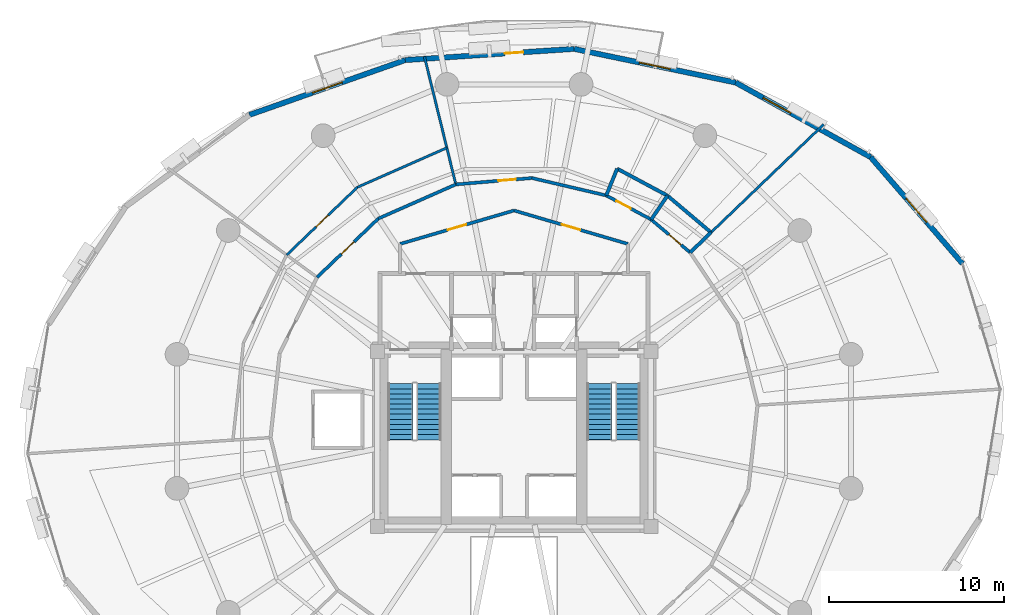
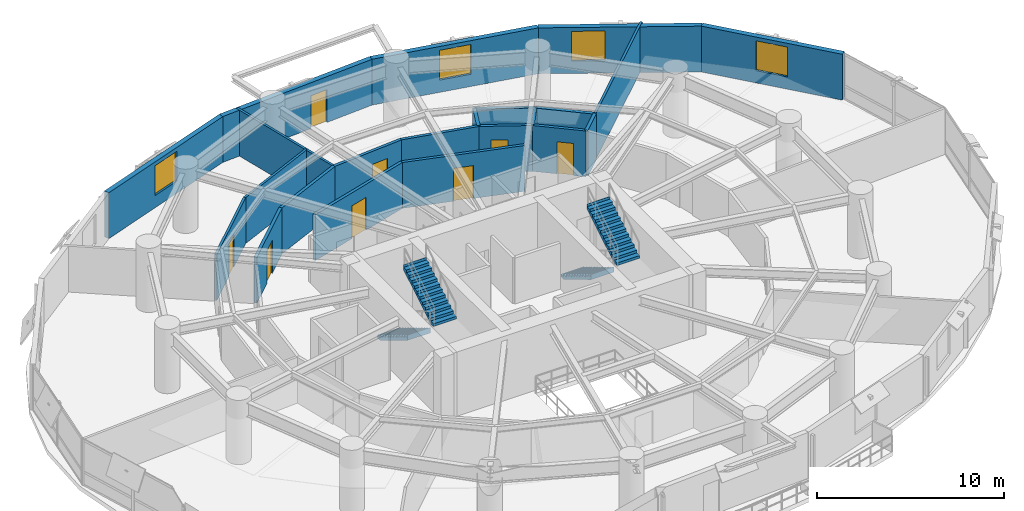
# One storey, part 12 of 16: 22 walls, 8 doors, 4 stair flights, 4 windows, 12 openings, 2 elements without a shape of their own.
"""IFC4 building model written with IfcOpenShell, lengths in metres."""

from ifc_helpers import new_model, si_unit, direction, frame, frame_2d, origin, place, context, subcontext, project, spatial, polyline, rectangle, outline, extrude, material, layer, layer_set, type_object, element, fill, aggregate, save


model = new_model("IFC4")

# Units and contexts
model_context = context("Model", 3, precision=1e-05, world=origin(), true_north=direction((0.0, 1.0)))
body_context = subcontext(model_context, "Body", "Model", "MODEL_VIEW")
ifc_project = project(units=[si_unit("LENGTHUNIT", "METRE"), si_unit("AREAUNIT", "SQUARE_METRE"), si_unit("VOLUMEUNIT", "CUBIC_METRE"), si_unit("PLANEANGLEUNIT", "RADIAN"), si_unit("MASSUNIT", "GRAM", prefix="KILO"), si_unit("THERMODYNAMICTEMPERATUREUNIT", "KELVIN"), si_unit("POWERUNIT", "WATT")], contexts=[model_context])

# Site, building, storey
site_placement = place(None, origin())
site = spatial("IfcSite", under=ifc_project, at=site_placement, CompositionType="ELEMENT")
building_placement = place(site_placement, origin())
building = spatial("IfcBuilding", under=site, at=building_placement, Name="Ocrelia Relay Tower", CompositionType="ELEMENT")
storey_placement = place(building_placement, frame((0.0, 0.0, 46.800048828125)))
storey = spatial("IfcBuildingStorey", under=building, at=storey_placement, Name="L10", CompositionType="ELEMENT", Elevation=46.800048828125)

# Wall, opening, door
ifc_material_1 = material(Name="Gypsum Fireboard Partition EI60", Category="gypsum")
ifc_layer_1 = layer(ifc_material_1, 0.179931640625, Name="Gypsum Fireboard Partition EI60")
ifc_layer_set_1 = layer_set([ifc_layer_1], Name="Gypsum Fireboard Partition EI60")
wall_type_1 = type_object("IfcWallType", Name="W-CORR-EI60-180", PredefinedType="PARTITIONING", material=ifc_layer_set_1)
wall_1_placement = place(storey_placement, frame((27.5, 36.122802734375, 0.0), z_axis=(0.0, 0.0, 1.0), x_axis=(0.959546654541, 0.281549671923, 0.0)))
wall_1 = element("IfcWall", 1, at=wall_1_placement, inside=storey, type_object=wall_type_1, Name="L10 North Smoke Lobby W Screen Wall", PredefinedType="PARTITIONING", context=body_context, shape_type="SweptSolid", body=[
    extrude(rectangle(XDim=6.77392578125, YDim=0.179931640625, at=frame_2d((3.386962890625, 0.0))), origin(), (0.0, 0.0, 1.0), 3.0),
])
opening_1_placement = place(wall_1_placement, frame((2.8369140625, 0.0, 0.0)))
opening_1 = element("IfcOpeningElement", 2, at=opening_1_placement, cuts=wall_1, Name="Opening D-FD60", PredefinedType="OPENING", context=body_context, shape_type="SweptSolid", body=[
    extrude(rectangle(XDim=1.10009765625, YDim=2.14990234375, at=frame_2d((0.550048828125, 1.074951171875))), frame((0.0, 0.10009765625, 0.0), z_axis=(0.0, -1.0, 0.0), x_axis=(1.0, 0.0, 0.0)), (0.0, 0.0, 1.0), 0.199951171875),
])
ifc_material_2 = material(Name="Timber-core 60-min acoustic fire door", Category="wood")
door_type_1 = type_object("IfcDoorType", Name="DR-LOBBY-FD60-1100", OperationType="NOTDEFINED", PredefinedType="DOOR", material=ifc_material_2)
door_1_placement = place(opening_1_placement, origin())
door_1 = element("IfcDoor", 3, at=door_1_placement, inside=storey, type_object=door_type_1, Name="L10 North Smoke Lobby W Fire Door", OperationType="SINGLE_SWING_RIGHT", OverallHeight=2.14990234375, OverallWidth=1.10009765625, PredefinedType="DOOR", context=body_context, shape_type="SweptSolid", body=[
    extrude(rectangle(XDim=1.10009765625, YDim=2.14990234375, at=frame_2d((0.550048828125, 1.074951171875))), frame((0.0, 0.02490234375, 0.0), z_axis=(0.0, -1.0, 0.0), x_axis=(1.0, 0.0, 0.0)), (0.0, 0.0, 1.0), 0.050048828125),
])
fill(opening_1, door_1)

wall_2_placement = place(storey_placement, frame((34.0, 38.030029296875, 0.0), z_axis=(0.0, 0.0, 1.0), x_axis=(0.959546654541, -0.281549671923, 0.0)))
wall_2 = element("IfcWall", 4, at=wall_2_placement, inside=storey, type_object=wall_type_1, Name="L10 North Smoke Lobby E Screen Wall", PredefinedType="PARTITIONING", context=body_context, shape_type="SweptSolid", body=[
    extrude(rectangle(XDim=6.77392578125, YDim=0.179931640625, at=frame_2d((3.386962890625, 0.0))), origin(), (0.0, 0.0, 1.0), 3.0),
])
opening_2_placement = place(wall_2_placement, frame((2.8369140625, 0.0, 0.0)))
opening_2 = element("IfcOpeningElement", 5, at=opening_2_placement, cuts=wall_2, Name="Opening D-FD60", PredefinedType="OPENING", context=body_context, shape_type="SweptSolid", body=[
    extrude(rectangle(XDim=1.10009765625, YDim=2.14990234375, at=frame_2d((0.550048828125, 1.074951171875))), frame((0.0, 0.10009765625, 0.0), z_axis=(0.0, -1.0, 0.0), x_axis=(1.0, 0.0, 0.0)), (0.0, 0.0, 1.0), 0.199951171875),
])
door_2_placement = place(opening_2_placement, origin())
door_2 = element("IfcDoor", 6, at=door_2_placement, inside=storey, type_object=door_type_1, Name="L10 North Smoke Lobby E Fire Door", OperationType="SINGLE_SWING_LEFT", OverallHeight=2.14990234375, OverallWidth=1.10009765625, PredefinedType="DOOR", context=body_context, shape_type="SweptSolid", body=[
    extrude(rectangle(XDim=1.10009765625, YDim=2.14990234375, at=frame_2d((0.550048828125, 1.074951171875))), frame((0.0, 0.02490234375, 0.0), z_axis=(0.0, -1.0, 0.0), x_axis=(1.0, 0.0, 0.0)), (0.0, 0.0, 1.0), 0.050048828125),
])
fill(opening_2, door_2)

wall_3_placement = place(storey_placement, frame((44.046875, 35.634521484375, 0.0), z_axis=(0.0, 0.0, 1.0), x_axis=(-0.763774375934, 0.645483309363, 0.0)))
wall_3 = element("IfcWall", 7, at=wall_3_placement, inside=storey, type_object=wall_type_1, Name="L10 Staff Toilet Corridor Wall", PredefinedType="PARTITIONING", context=body_context, shape_type="SweptSolid", body=[
    extrude(rectangle(XDim=2.91015625, YDim=0.179931640625, at=frame_2d((1.455078125, 0.0))), origin(), (0.0, 0.0, 1.0), 3.0),
])
opening_3_placement = place(wall_3_placement, frame((0.6689453125, 0.0, 0.0)))
opening_3 = element("IfcOpeningElement", 8, at=opening_3_placement, cuts=wall_3, Name="Opening D-WC92", PredefinedType="OPENING", context=body_context, shape_type="SweptSolid", body=[
    extrude(rectangle(XDim=0.919921875, YDim=2.10009765625, at=frame_2d((0.4599609375, 1.050048828125))), frame((0.0, 0.10009765625, 0.0), z_axis=(0.0, -1.0, 0.0), x_axis=(1.0, 0.0, 0.0)), (0.0, 0.0, 1.0), 0.199951171875),
])
ifc_material_3 = material(Name="Laminate washroom door", Category="wood")
door_type_2 = type_object("IfcDoorType", Name="DR-WC-920", OperationType="NOTDEFINED", PredefinedType="DOOR", material=ifc_material_3)
door_3_placement = place(opening_3_placement, origin())
door_3 = element("IfcDoor", 9, at=door_3_placement, inside=storey, type_object=door_type_2, Name="L10 Staff Toilet Door", OperationType="SINGLE_SWING_RIGHT", OverallHeight=2.10009765625, OverallWidth=0.919921875, PredefinedType="DOOR", context=body_context, shape_type="SweptSolid", body=[
    extrude(rectangle(XDim=0.919921875, YDim=2.10009765625, at=frame_2d((0.4599609375, 1.050048828125))), frame((0.0, 0.02490234375, 0.0), z_axis=(0.0, -1.0, 0.0), x_axis=(1.0, 0.0, 0.0)), (0.0, 0.0, 1.0), 0.050048828125),
])
fill(opening_3, door_3)

wall_4_placement = place(storey_placement, frame((41.82421875, 37.512939453125, 0.0), z_axis=(0.0, 0.0, 1.0), x_axis=(-0.881294073776, 0.472568254887, 0.0)))
wall_4 = element("IfcWall", 10, at=wall_4_placement, inside=storey, type_object=wall_type_1, Name="L10 Accessible Toilet Corridor Wall", PredefinedType="PARTITIONING", context=body_context, shape_type="SweptSolid", body=[
    extrude(rectangle(XDim=2.91015625, YDim=0.179931640625, at=frame_2d((1.455078125, 0.0))), origin(), (0.0, 0.0, 1.0), 3.0),
])
opening_4_placement = place(wall_4_placement, frame((1.321044921875, 0.0, 0.0)))
opening_4 = element("IfcOpeningElement", 11, at=opening_4_placement, cuts=wall_4, Name="Opening D-WC92", PredefinedType="OPENING", context=body_context, shape_type="SweptSolid", body=[
    extrude(rectangle(XDim=0.919921875, YDim=2.10009765625, at=frame_2d((0.4599609375, 1.050048828125))), frame((0.0, 0.10009765625, 0.0), z_axis=(0.0, -1.0, 0.0), x_axis=(1.0, 0.0, 0.0)), (0.0, 0.0, 1.0), 0.199951171875),
])
door_4_placement = place(opening_4_placement, origin())
door_4 = element("IfcDoor", 12, at=door_4_placement, inside=storey, type_object=door_type_2, Name="L10 Accessible Toilet Door", OperationType="SINGLE_SWING_LEFT", OverallHeight=2.10009765625, OverallWidth=0.919921875, PredefinedType="DOOR", context=body_context, shape_type="SweptSolid", body=[
    extrude(rectangle(XDim=0.919921875, YDim=2.10009765625, at=frame_2d((0.4599609375, 1.050048828125))), frame((0.0, 0.02490234375, 0.0), z_axis=(0.0, -1.0, 0.0), x_axis=(1.0, 0.0, 0.0)), (0.0, 0.0, 1.0), 0.050048828125),
])
fill(opening_4, door_4)

# Wall
wall_5_placement = place(storey_placement, frame((39.259521484375, 38.88818359375, 0.0), z_axis=(0.0, 0.0, 1.0), x_axis=(-0.973583801544, 0.228329983514, 0.0)))
element("IfcWall", 13, at=wall_5_placement, inside=storey, type_object=wall_type_1, Name="L10 Network Engineering Office A Corridor Partition 1", PredefinedType="PARTITIONING", context=body_context, shape_type="SweptSolid", body=[
    extrude(rectangle(XDim=4.35498046875, YDim=0.179931640625, at=frame_2d((2.177490234375, 0.0))), origin(), (0.0, 0.0, 1.0), 3.0),
])

# Wall, opening, door
wall_6_placement = place(storey_placement, frame((35.01953125, 39.882568359375, 0.0), z_axis=(0.0, 0.0, 1.0), x_axis=(-0.99649609518, -0.083639298718, 0.0)))
wall_6 = element("IfcWall", 14, at=wall_6_placement, inside=storey, type_object=wall_type_1, Name="L10 Network Engineering Office A Corridor Partition 2", PredefinedType="PARTITIONING", context=body_context, shape_type="SweptSolid", body=[
    extrude(rectangle(XDim=4.355224609375, YDim=0.179931640625, at=frame_2d((2.177734375, 0.0))), origin(), (0.0, 0.0, 1.0), 3.0),
])
opening_5_placement = place(wall_6_placement, frame((0.913818359375, 0.0, 0.0)))
opening_5 = element("IfcOpeningElement", 15, at=opening_5_placement, cuts=wall_6, Name="Opening D-RM100", PredefinedType="OPENING", context=body_context, shape_type="SweptSolid", body=[
    extrude(rectangle(XDim=1.0, YDim=2.14990234375, at=frame_2d((0.5, 1.074951171875))), frame((0.0, 0.10009765625, 0.0), z_axis=(0.0, -1.0, 0.0), x_axis=(1.0, 0.0, 0.0)), (0.0, 0.0, 1.0), 0.199951171875),
])
ifc_material_4 = material(Name="Acoustic oak veneer fire door", Category="wood")
door_type_3 = type_object("IfcDoorType", Name="DR-ROOM-FD60-1000", OperationType="NOTDEFINED", PredefinedType="DOOR", material=ifc_material_4)
door_5_placement = place(opening_5_placement, origin())
door_5 = element("IfcDoor", 16, at=door_5_placement, inside=storey, type_object=door_type_3, Name="L10 Network Engineering Office A Entrance Door", OperationType="SINGLE_SWING_RIGHT", OverallHeight=2.14990234375, OverallWidth=1.0, PredefinedType="DOOR", context=body_context, shape_type="SweptSolid", body=[
    extrude(rectangle(XDim=1.0, YDim=2.14990234375, at=frame_2d((0.5, 1.074951171875))), frame((0.0, 0.02490234375, 0.0), z_axis=(0.0, -1.0, 0.0), x_axis=(1.0, 0.0, 0.0)), (0.0, 0.0, 1.0), 0.050048828125),
])
fill(opening_5, door_5)

# Wall
wall_7_placement = place(storey_placement, frame((30.6796875, 39.518310546875, 0.0), z_axis=(0.0, 0.0, 1.0), x_axis=(-0.914959483899, -0.403545713425, 0.0)))
element("IfcWall", 17, at=wall_7_placement, inside=storey, type_object=wall_type_1, Name="L10 Operations Office B Corridor Partition 1", PredefinedType="PARTITIONING", context=body_context, shape_type="SweptSolid", body=[
    extrude(rectangle(XDim=4.83447265625, YDim=0.179931640625, at=frame_2d((2.417236328125, 0.0))), origin(), (0.0, 0.0, 1.0), 3.0),
])

# Wall, opening, door
wall_8_placement = place(storey_placement, frame((26.25634765625, 37.5673828125, 0.0), z_axis=(0.0, 0.0, 1.0), x_axis=(-0.721748503055, -0.692155400425, 0.0)))
wall_8 = element("IfcWall", 18, at=wall_8_placement, inside=storey, type_object=wall_type_1, Name="L10 Operations Office B Corridor Partition 2", PredefinedType="PARTITIONING", context=body_context, shape_type="SweptSolid", body=[
    extrude(rectangle(XDim=4.83447265625, YDim=0.179931640625, at=frame_2d((2.417236328125, 0.0))), origin(), (0.0, 0.0, 1.0), 3.0),
])
opening_6_placement = place(wall_8_placement, frame((1.917236328125, 0.0, 0.0)))
opening_6 = element("IfcOpeningElement", 19, at=opening_6_placement, cuts=wall_8, Name="Opening D-RM100", PredefinedType="OPENING", context=body_context, shape_type="SweptSolid", body=[
    extrude(rectangle(XDim=1.0, YDim=2.14990234375, at=frame_2d((0.5, 1.074951171875))), frame((0.0, 0.10009765625, 0.0), z_axis=(0.0, -1.0, 0.0), x_axis=(1.0, 0.0, 0.0)), (0.0, 0.0, 1.0), 0.199951171875),
])
door_6_placement = place(opening_6_placement, origin())
door_6 = element("IfcDoor", 20, at=door_6_placement, inside=storey, type_object=door_type_3, Name="L10 Operations Office B Entrance Door", OperationType="SINGLE_SWING_LEFT", OverallHeight=2.14990234375, OverallWidth=1.0, PredefinedType="DOOR", context=body_context, shape_type="SweptSolid", body=[
    extrude(rectangle(XDim=1.0, YDim=2.14990234375, at=frame_2d((0.5, 1.074951171875))), frame((0.0, 0.02490234375, 0.0), z_axis=(0.0, -1.0, 0.0), x_axis=(1.0, 0.0, 0.0)), (0.0, 0.0, 1.0), 0.050048828125),
])
fill(opening_6, door_6)

# Wall, opening, window
ifc_material_5 = material(Name="Precast concrete C40/50 with oxide terracotta", Category="masonry")
ifc_layer_2 = layer(ifc_material_5, 0.300048828125, Name="Precast concrete C40/50 with oxide terracotta")
ifc_layer_set_2 = layer_set([ifc_layer_2], Name="Precast concrete C40/50 with oxide terracotta")
wall_type_2 = type_object("IfcWallType", Name="W-EXT-TERR-300", PredefinedType="SOLIDWALL", material=ifc_layer_set_2)
wall_9_placement = place(storey_placement, frame((59.583251953125, 35.000244140625, 0.0), z_axis=(0.0, 0.0, 1.0), x_axis=(-0.653421746462, 0.756994069495, 0.0)))
wall_9 = element("IfcWall", 21, at=wall_9_placement, inside=storey, type_object=wall_type_2, Name="L10 Oxide Terracotta Facade Wall 02", PredefinedType="SOLIDWALL", context=body_context, shape_type="SweptSolid", body=[
    extrude(rectangle(XDim=8.021484375, YDim=0.300048828125, at=frame_2d((4.0107421875, 0.0))), origin(), (0.0, 0.0, 1.0), 3.0),
])
opening_7_placement = place(wall_9_placement, frame((3.111083984375, 0.0, 0.800048828125)))
opening_7 = element("IfcOpeningElement", 22, at=opening_7_placement, cuts=wall_9, Name="Opening W-02", PredefinedType="OPENING", context=body_context, shape_type="SweptSolid", body=[
    extrude(rectangle(XDim=1.800048828125, YDim=1.949951171875, at=frame_2d((0.89990234375, 0.97509765625))), frame((0.0, 0.16015625, 0.0), z_axis=(0.0, -1.0, 0.0), x_axis=(1.0, 0.0, 0.0)), (0.0, 0.0, 1.0), 0.320068359375),
])
ifc_material_6 = material(Name="Clear double-glazed low-E glass", Category="glass")
window_type = type_object("IfcWindowType", Name="WIN-Z1-1800x2100", PartitioningType="DOUBLE_PANEL_VERTICAL", PredefinedType="WINDOW", material=ifc_material_6)
window_1_placement = place(opening_7_placement, origin())
window_1 = element("IfcWindow", 23, at=window_1_placement, inside=storey, type_object=window_type, Name="L10 Facade Module Window 02", OverallHeight=1.949951171875, OverallWidth=1.800048828125, PartitioningType="SINGLE_PANEL", PredefinedType="WINDOW", context=body_context, shape_type="SweptSolid", body=[
    extrude(rectangle(XDim=1.800048828125, YDim=1.949951171875, at=frame_2d((0.89990234375, 0.97509765625))), frame((0.0, 0.030029296875, 0.0), z_axis=(0.0, -1.0, 0.0), x_axis=(1.0, 0.0, 0.0)), (0.0, 0.0, 1.0), 0.06005859375),
])
fill(opening_7, window_1)

wall_10_placement = place(storey_placement, frame((54.341796875, 41.072509765625, 0.0), z_axis=(0.0, 0.0, 1.0), x_axis=(-0.875145624266, 0.48385962461, 0.0)))
wall_10 = element("IfcWall", 24, at=wall_10_placement, inside=storey, type_object=wall_type_2, Name="L10 Oxide Terracotta Facade Wall 03", PredefinedType="SOLIDWALL", context=body_context, shape_type="SweptSolid", body=[
    extrude(rectangle(XDim=8.792724609375, YDim=0.300048828125, at=frame_2d((4.396484375, 0.0))), origin(), (0.0, 0.0, 1.0), 3.0),
])
opening_8_placement = place(wall_10_placement, frame((5.201904296875, 0.0, 0.800048828125)))
opening_8 = element("IfcOpeningElement", 25, at=opening_8_placement, cuts=wall_10, Name="Opening W-02", PredefinedType="OPENING", context=body_context, shape_type="SweptSolid", body=[
    extrude(rectangle(XDim=1.800048828125, YDim=1.949951171875, at=frame_2d((0.89990234375, 0.97509765625))), frame((0.0, 0.16015625, 0.0), z_axis=(0.0, -1.0, 0.0), x_axis=(1.0, 0.0, 0.0)), (0.0, 0.0, 1.0), 0.320068359375),
])
window_2_placement = place(opening_8_placement, origin())
window_2 = element("IfcWindow", 26, at=window_2_placement, inside=storey, type_object=window_type, Name="L10 Facade Module Window 03", OverallHeight=1.949951171875, OverallWidth=1.800048828125, PartitioningType="SINGLE_PANEL", PredefinedType="WINDOW", context=body_context, shape_type="SweptSolid", body=[
    extrude(rectangle(XDim=1.800048828125, YDim=1.949951171875, at=frame_2d((0.89990234375, 0.97509765625))), frame((0.0, 0.030029296875, 0.0), z_axis=(0.0, -1.0, 0.0), x_axis=(1.0, 0.0, 0.0)), (0.0, 0.0, 1.0), 0.06005859375),
])
fill(opening_8, window_2)

wall_11_placement = place(storey_placement, frame((46.64697265625, 45.326904296875, 0.0), z_axis=(0.0, 0.0, 1.0), x_axis=(-0.978929281729, 0.20419956262, 0.0)))
wall_11 = element("IfcWall", 27, at=wall_11_placement, inside=storey, type_object=wall_type_2, Name="L10 Oxide Terracotta Facade Wall 04", PredefinedType="SOLIDWALL", context=body_context, shape_type="SweptSolid", body=[
    extrude(rectangle(XDim=9.4189453125, YDim=0.300048828125, at=frame_2d((4.70947265625, 0.0))), origin(), (0.0, 0.0, 1.0), 3.0),
])
opening_9_placement = place(wall_11_placement, frame((3.80908203125, 0.0, 0.800048828125)))
opening_9 = element("IfcOpeningElement", 28, at=opening_9_placement, cuts=wall_11, Name="Opening W-02", PredefinedType="OPENING", context=body_context, shape_type="SweptSolid", body=[
    extrude(rectangle(XDim=1.800048828125, YDim=1.949951171875, at=frame_2d((0.89990234375, 0.97509765625))), frame((0.0, 0.16015625, 0.0), z_axis=(0.0, -1.0, 0.0), x_axis=(1.0, 0.0, 0.0)), (0.0, 0.0, 1.0), 0.320068359375),
])
window_3_placement = place(opening_9_placement, origin())
window_3 = element("IfcWindow", 29, at=window_3_placement, inside=storey, type_object=window_type, Name="L10 Facade Module Window 04", OverallHeight=1.949951171875, OverallWidth=1.800048828125, PartitioningType="SINGLE_PANEL", PredefinedType="WINDOW", context=body_context, shape_type="SweptSolid", body=[
    extrude(rectangle(XDim=1.800048828125, YDim=1.949951171875, at=frame_2d((0.89990234375, 0.97509765625))), frame((0.0, 0.030029296875, 0.0), z_axis=(0.0, -1.0, 0.0), x_axis=(1.0, 0.0, 0.0)), (0.0, 0.0, 1.0), 0.06005859375),
])
fill(opening_9, window_3)

# Wall, opening, door
wall_12_placement = place(storey_placement, frame((37.426513671875, 47.250244140625, 0.0), z_axis=(0.0, 0.0, 1.0), x_axis=(-0.997801240682, -0.066277327145, 0.0)))
wall_12 = element("IfcWall", 30, at=wall_12_placement, inside=storey, type_object=wall_type_2, Name="L10 Oxide Terracotta Facade Wall 05", PredefinedType="SOLIDWALL", context=body_context, shape_type="SweptSolid", body=[
    extrude(rectangle(XDim=9.65478515625, YDim=0.300048828125, at=frame_2d((4.827392578125, 0.0))), origin(), (0.0, 0.0, 1.0), 3.0),
])
opening_10_placement = place(wall_12_placement, frame((2.909912109375, 0.0, 0.0)))
opening_10 = element("IfcOpeningElement", 31, at=opening_10_placement, cuts=wall_12, Name="Opening DB-105", PredefinedType="OPENING", context=body_context, shape_type="SweptSolid", body=[
    extrude(rectangle(XDim=1.050048828125, YDim=2.14990234375, at=frame_2d((0.52490234375, 1.074951171875))), frame((0.0, 0.16015625, 0.0), z_axis=(0.0, -1.0, 0.0), x_axis=(1.0, 0.0, 0.0)), (0.0, 0.0, 1.0), 0.320068359375),
])
ifc_material_7 = material(Name="Thermally broken aluminium and clear glass", Category="aluminium")
door_type_4 = type_object("IfcDoorType", Name="DR-BALC-1050", OperationType="NOTDEFINED", PredefinedType="DOOR", material=ifc_material_7)
door_7_placement = place(opening_10_placement, origin())
door_7 = element("IfcDoor", 32, at=door_7_placement, inside=storey, type_object=door_type_4, Name="L10 Planted Loggia Balcony Door B1", OperationType="SINGLE_SWING_LEFT", OverallHeight=2.14990234375, OverallWidth=1.050048828125, PredefinedType="DOOR", context=body_context, shape_type="SweptSolid", body=[
    extrude(rectangle(XDim=1.050048828125, YDim=2.14990234375, at=frame_2d((0.52490234375, 1.074951171875))), frame((0.0, 0.02490234375, 0.0), z_axis=(0.0, -1.0, 0.0), x_axis=(1.0, 0.0, 0.0)), (0.0, 0.0, 1.0), 0.050048828125),
])
fill(opening_10, door_7)

# Wall, opening, window
wall_13_placement = place(storey_placement, frame((27.79296875, 46.6103515625, 0.0), z_axis=(0.0, 0.0, 1.0), x_axis=(-0.943328169931, -0.33186136234, 0.0)))
wall_13 = element("IfcWall", 33, at=wall_13_placement, inside=storey, type_object=wall_type_2, Name="L10 Oxide Terracotta Facade Wall 06", PredefinedType="SOLIDWALL", context=body_context, shape_type="SweptSolid", body=[
    extrude(rectangle(XDim=9.418701171875, YDim=0.300048828125, at=frame_2d((4.70947265625, 0.0))), origin(), (0.0, 0.0, 1.0), 3.0),
])
opening_11_placement = place(wall_13_placement, frame((3.80908203125, 0.0, 0.800048828125)))
opening_11 = element("IfcOpeningElement", 34, at=opening_11_placement, cuts=wall_13, Name="Opening W-02", PredefinedType="OPENING", context=body_context, shape_type="SweptSolid", body=[
    extrude(rectangle(XDim=1.800048828125, YDim=1.949951171875, at=frame_2d((0.89990234375, 0.97509765625))), frame((0.0, 0.16015625, 0.0), z_axis=(0.0, -1.0, 0.0), x_axis=(1.0, 0.0, 0.0)), (0.0, 0.0, 1.0), 0.320068359375),
])
window_4_placement = place(opening_11_placement, origin())
window_4 = element("IfcWindow", 35, at=window_4_placement, inside=storey, type_object=window_type, Name="L10 Facade Module Window 06", OverallHeight=1.949951171875, OverallWidth=1.800048828125, PartitioningType="SINGLE_PANEL", PredefinedType="WINDOW", context=body_context, shape_type="SweptSolid", body=[
    extrude(rectangle(XDim=1.800048828125, YDim=1.949951171875, at=frame_2d((0.89990234375, 0.97509765625))), frame((0.0, 0.030029296875, 0.0), z_axis=(0.0, -1.0, 0.0), x_axis=(1.0, 0.0, 0.0)), (0.0, 0.0, 1.0), 0.06005859375),
])
fill(opening_11, window_4)

# Walls
ifc_material_8 = material(Name="Acoustic Fireboard Partition EI60", Category="gypsum")
ifc_layer_3 = layer(ifc_material_8, 0.139892578125, Name="Acoustic Fireboard Partition EI60")
ifc_layer_set_3 = layer_set([ifc_layer_3], Name="Acoustic Fireboard Partition EI60")
wall_type_3 = type_object("IfcWallType", Name="W-PART-140", PredefinedType="PARTITIONING", material=ifc_layer_set_3)
wall_14_placement = place(storey_placement, frame((45.23779296875, 36.776611328125, 0.0), z_axis=(0.0, 0.0, 1.0), x_axis=(0.721750646937, 0.692153164874, 0.0)))
element("IfcWall", 36, at=wall_14_placement, inside=storey, type_object=wall_type_3, Name="L10 Network Engineering Office A Radial Partition", PredefinedType="PARTITIONING", context=body_context, shape_type="SweptSolid", body=[
    extrude(rectangle(XDim=8.900390625, YDim=0.139892578125, at=frame_2d((4.4501953125, 0.0))), origin(), (0.0, 0.0, 1.0), 3.0),
])
wall_15_placement = place(storey_placement, frame((30.6796875, 39.518310546875, 0.0), z_axis=(0.0, 0.0, 1.0), x_axis=(-0.238558066821, 0.971128234969, 0.0)))
element("IfcWall", 37, at=wall_15_placement, inside=storey, type_object=wall_type_3, Name="L10 Network Engineering Office A Radial Partition", PredefinedType="PARTITIONING", context=body_context, shape_type="SweptSolid", body=[
    extrude(rectangle(XDim=7.513916015625, YDim=0.139892578125, at=frame_2d((3.7568359375, 0.0))), origin(), (0.0, 0.0, 1.0), 3.0),
])
wall_16_placement = place(storey_placement, frame((30.166748046875, 41.606201171875, 0.0), z_axis=(0.0, 0.0, 1.0), x_axis=(-0.914960559012, -0.403543275812, 0.0)))
element("IfcWall", 38, at=wall_16_placement, inside=storey, type_object=wall_type_3, Name="L10 Perimeter Operations Office B Mid-Ring Partition 1", PredefinedType="PARTITIONING", context=body_context, shape_type="SweptSolid", body=[
    extrude(rectangle(XDim=5.5810546875, YDim=0.139892578125, at=frame_2d((2.79052734375, 0.0))), origin(), (0.0, 0.0, 1.0), 3.0),
])

# Wall, opening, door
wall_17_placement = place(storey_placement, frame((25.060302734375, 39.35400390625, 0.0), z_axis=(0.0, 0.0, 1.0), x_axis=(-0.721758722744, -0.692144743636, 0.0)))
wall_17 = element("IfcWall", 39, at=wall_17_placement, inside=storey, type_object=wall_type_3, Name="L10 Perimeter Operations Office B Mid-Ring Partition 2", PredefinedType="PARTITIONING", context=body_context, shape_type="SweptSolid", body=[
    extrude(rectangle(XDim=5.581298828125, YDim=0.139892578125, at=frame_2d((2.79052734375, 0.0))), origin(), (0.0, 0.0, 1.0), 3.0),
])
opening_12_placement = place(wall_17_placement, frame((2.3154296875, 0.0, 0.0)))
opening_12 = element("IfcOpeningElement", 40, at=opening_12_placement, cuts=wall_17, Name="Opening D-RM95", PredefinedType="OPENING", context=body_context, shape_type="SweptSolid", body=[
    extrude(rectangle(XDim=0.949951171875, YDim=2.14990234375, at=frame_2d((0.47509765625, 1.074951171875))), frame((0.0, 0.080078125, 0.0), z_axis=(0.0, -1.0, 0.0), x_axis=(1.0, 0.0, 0.0)), (0.0, 0.0, 1.0), 0.159912109375),
])
door_type_5 = type_object("IfcDoorType", Name="DR-ROOM-950", OperationType="NOTDEFINED", PredefinedType="DOOR", material=ifc_material_4)
door_8_placement = place(opening_12_placement, origin())
door_8 = element("IfcDoor", 41, at=door_8_placement, inside=storey, type_object=door_type_5, Name="L10 Perimeter Operations Office B Connecting Door", OperationType="SINGLE_SWING_RIGHT", OverallHeight=2.14990234375, OverallWidth=0.949951171875, PredefinedType="DOOR", context=body_context, shape_type="SweptSolid", body=[
    extrude(rectangle(XDim=0.949951171875, YDim=2.14990234375, at=frame_2d((0.47509765625, 1.074951171875))), frame((0.0, 0.02490234375, 0.0), z_axis=(0.0, -1.0, 0.0), x_axis=(1.0, 0.0, 0.0)), (0.0, 0.0, 1.0), 0.050048828125),
])
fill(opening_12, door_8)

# Walls
ifc_material_9 = material(Name="Moisture-Resistant Fireboard Chase Wall EI60", Category="gypsum")
ifc_layer_4 = layer(ifc_material_9, 0.199951171875, Name="Moisture-Resistant Fireboard Chase Wall EI60")
ifc_layer_set_4 = layer_set([ifc_layer_4], Name="Moisture-Resistant Fireboard Chase Wall EI60")
wall_type_4 = type_object("IfcWallType", Name="W-PLUMB-200", PredefinedType="PLUMBINGWALL", material=ifc_layer_set_4)
for number, where, z_axis, x_axis, name in (
    (42, (44.046875, 35.634521484375, 0.0), (0.0, 0.0, 1.0), (0.721747944502, 0.692155982858, 0.0), "L10 Staff Toilet Plumbing Radial Wall"),
    (43, (41.82421875, 37.512939453125, 0.0), (0.0, 0.0, 1.0), (0.562087418508, 0.827077828233, 0.0), "L10 Staff Toilet Plumbing Radial Wall"),
):
    element("IfcWall", number, at=place(storey_placement, frame(where, z_axis=z_axis, x_axis=x_axis)), inside=storey, type_object=wall_type_4, Name=name, PredefinedType="PLUMBINGWALL", context=body_context, shape_type="SweptSolid", body=[
        extrude(rectangle(XDim=1.650146484375, YDim=0.199951171875, at=frame_2d((0.8251953125, 0.0))), origin(), (0.0, 0.0, 1.0), 3.0),
    ])
wall_18_placement = place(storey_placement, frame((45.23779296875, 36.776611328125, 0.0), z_axis=(0.0, 0.0, 1.0), x_axis=(-0.76377022489, 0.645488221094, 0.0)))
element("IfcWall", 44, at=wall_18_placement, inside=storey, type_object=wall_type_4, Name="L10 Staff Toilet Back Plumbing Wall", PredefinedType="PLUMBINGWALL", context=body_context, shape_type="SweptSolid", body=[
    extrude(rectangle(XDim=3.255126953125, YDim=0.199951171875, at=frame_2d((1.62744140625, 0.0))), origin(), (0.0, 0.0, 1.0), 3.0),
])
wall_19_placement = place(storey_placement, frame((39.259521484375, 38.88818359375, 0.0), z_axis=(0.0, 0.0, 1.0), x_axis=(0.377912528559, 0.925841304305, 0.0)))
element("IfcWall", 45, at=wall_19_placement, inside=storey, type_object=wall_type_4, Name="L10 Accessible Toilet Plumbing Radial Wall", PredefinedType="PLUMBINGWALL", context=body_context, shape_type="SweptSolid", body=[
    extrude(rectangle(XDim=1.64990234375, YDim=0.199951171875, at=frame_2d((0.824951171875, 0.0))), origin(), (0.0, 0.0, 1.0), 3.0),
])
wall_20_placement = place(storey_placement, frame((42.751708984375, 38.877685546875, 0.0), z_axis=(0.0, 0.0, 1.0), x_axis=(-0.881312658049, 0.47253359538, 0.0)))
element("IfcWall", 46, at=wall_20_placement, inside=storey, type_object=wall_type_4, Name="L10 Accessible Toilet Back Plumbing Wall", PredefinedType="PLUMBINGWALL", context=body_context, shape_type="SweptSolid", body=[
    extrude(rectangle(XDim=3.2548828125, YDim=0.199951171875, at=frame_2d((1.62744140625, 0.0))), origin(), (0.0, 0.0, 1.0), 3.0),
])

# Stair, stair flights
ifc_material_10 = material(Name="Concrete C50/60", Category="concrete")
stair_type = type_object("IfcStairType", Name="ST-DL-1420-R175", PredefinedType="HALF_TURN_STAIR", material=ifc_material_10)
stair_1_placement = place(storey_placement, origin())
stair_1 = element("IfcStair", 47, at=stair_1_placement, inside=storey, type_object=stair_type, Name="L10 West Core Exit Stair ST1", PredefinedType="HALF_TURN_STAIR")
stair_flight_type = type_object("IfcStairFlightType", Name="STF-DL-1420-R175", PredefinedType="STRAIGHT", material=ifc_material_10)
stair_flight_1_placement = place(storey_placement, frame((27.52001953125, 28.14990234375, 0.0), z_axis=(0.0, 0.0, 1.0), x_axis=(0.0, -1.0, 0.0)))
stair_flight_1 = element("IfcStairFlight", 48, at=stair_flight_1_placement, type_object=stair_flight_type, Name="ST1 flight 1", NumberOfRisers=12, NumberOfTreads=11, PredefinedType="STRAIGHT", RiserHeight=0.175, TreadLength=0.29, context=body_context, shape_type="SweptSolid", body=[
    extrude(outline(polyline([(-0.008056640625, 0.0), (-0.008056640625, 0.175048828125), (0.0, 0.175048828125), (0.2900390625, 0.175048828125), (0.2900390625, 0.35009765625), (0.580078125, 0.35009765625), (0.580078125, 0.52490234375), (0.8701171875, 0.52490234375), (0.8701171875, 0.699951171875), (1.159912109375, 0.699951171875), (1.159912109375, 0.875), (1.449951171875, 0.875), (1.449951171875, 1.050048828125), (1.739990234375, 1.050048828125), (1.739990234375, 1.22509765625), (2.030029296875, 1.22509765625), (2.030029296875, 1.39990234375), (2.320068359375, 1.39990234375), (2.320068359375, 1.574951171875), (2.610107421875, 1.574951171875), (2.610107421875, 1.75), (2.89990234375, 1.75), (2.89990234375, 1.925048828125), (3.18994140625, 1.925048828125), (3.18994140625, 2.10009765625), (3.197998046875, 2.10009765625), (3.197998046875, 1.75), (0.2900390625, 0.0), (-0.008056640625, 0.0)])), frame((0.0, 0.7099609375, 0.0), z_axis=(0.0, -1.0, 0.0), x_axis=(1.0, 0.0, 0.0)), (0.0, 0.0, 1.0), 1.419921875),
])
stair_flight_2_placement = place(storey_placement, frame((29.139892578125, 24.9599609375, 2.099853515625), z_axis=(0.0, 0.0, 1.0), x_axis=(0.0, 1.0, 0.0)))
stair_flight_2 = element("IfcStairFlight", 49, at=stair_flight_2_placement, type_object=stair_flight_type, Name="ST1 flight 2", NumberOfRisers=12, NumberOfTreads=11, PredefinedType="STRAIGHT", RiserHeight=0.175, TreadLength=0.29, context=body_context, shape_type="SweptSolid", body=[
    extrude(outline(polyline([(-0.008056640625, 0.0), (-0.008056640625, 0.175048828125), (0.0, 0.175048828125), (0.2900390625, 0.175048828125), (0.2900390625, 0.35009765625), (0.580078125, 0.35009765625), (0.580078125, 0.52490234375), (0.8701171875, 0.52490234375), (0.8701171875, 0.699951171875), (1.159912109375, 0.699951171875), (1.159912109375, 0.875), (1.449951171875, 0.875), (1.449951171875, 1.050048828125), (1.739990234375, 1.050048828125), (1.739990234375, 1.22509765625), (2.030029296875, 1.22509765625), (2.030029296875, 1.39990234375), (2.320068359375, 1.39990234375), (2.320068359375, 1.574951171875), (2.610107421875, 1.574951171875), (2.610107421875, 1.75), (2.89990234375, 1.75), (2.89990234375, 1.925048828125), (3.18994140625, 1.925048828125), (3.18994140625, 2.10009765625), (3.197998046875, 2.10009765625), (3.197998046875, 1.75), (0.2900390625, 0.0), (-0.008056640625, 0.0)])), frame((0.0, 0.7099609375, 0.0), z_axis=(0.0, -1.0, 0.0), x_axis=(1.0, 0.0, 0.0)), (0.0, 0.0, 1.0), 1.419921875),
])
aggregate(stair_1, [stair_flight_1, stair_flight_2])

stair_2_placement = place(storey_placement, origin())
stair_2 = element("IfcStair", 50, at=stair_2_placement, inside=storey, type_object=stair_type, Name="L10 East Core Exit Stair ST2", PredefinedType="HALF_TURN_STAIR")
stair_flight_3_placement = place(storey_placement, frame((38.8701171875, 28.14990234375, 0.0), z_axis=(0.0, 0.0, 1.0), x_axis=(0.0, -1.0, 0.0)))
stair_flight_3 = element("IfcStairFlight", 51, at=stair_flight_3_placement, type_object=stair_flight_type, Name="ST2 flight 1", NumberOfRisers=12, NumberOfTreads=11, PredefinedType="STRAIGHT", RiserHeight=0.175, TreadLength=0.29, context=body_context, shape_type="SweptSolid", body=[
    extrude(outline(polyline([(-0.008056640625, 0.0), (-0.008056640625, 0.175048828125), (0.0, 0.175048828125), (0.2900390625, 0.175048828125), (0.2900390625, 0.35009765625), (0.580078125, 0.35009765625), (0.580078125, 0.52490234375), (0.8701171875, 0.52490234375), (0.8701171875, 0.699951171875), (1.159912109375, 0.699951171875), (1.159912109375, 0.875), (1.449951171875, 0.875), (1.449951171875, 1.050048828125), (1.739990234375, 1.050048828125), (1.739990234375, 1.22509765625), (2.030029296875, 1.22509765625), (2.030029296875, 1.39990234375), (2.320068359375, 1.39990234375), (2.320068359375, 1.574951171875), (2.610107421875, 1.574951171875), (2.610107421875, 1.75), (2.89990234375, 1.75), (2.89990234375, 1.925048828125), (3.18994140625, 1.925048828125), (3.18994140625, 2.10009765625), (3.197998046875, 2.10009765625), (3.197998046875, 1.75), (0.2900390625, 0.0), (-0.008056640625, 0.0)])), frame((0.0, 0.7099609375, 0.0), z_axis=(0.0, -1.0, 0.0), x_axis=(1.0, 0.0, 0.0)), (0.0, 0.0, 1.0), 1.419921875),
])
stair_flight_4_placement = place(storey_placement, frame((40.489990234375, 24.9599609375, 2.099853515625), z_axis=(0.0, 0.0, 1.0), x_axis=(0.0, 1.0, 0.0)))
stair_flight_4 = element("IfcStairFlight", 52, at=stair_flight_4_placement, type_object=stair_flight_type, Name="ST2 flight 2", NumberOfRisers=12, NumberOfTreads=11, PredefinedType="STRAIGHT", RiserHeight=0.175, TreadLength=0.29, context=body_context, shape_type="SweptSolid", body=[
    extrude(outline(polyline([(-0.008056640625, 0.0), (-0.008056640625, 0.175048828125), (0.0, 0.175048828125), (0.2900390625, 0.175048828125), (0.2900390625, 0.35009765625), (0.580078125, 0.35009765625), (0.580078125, 0.52490234375), (0.8701171875, 0.52490234375), (0.8701171875, 0.699951171875), (1.159912109375, 0.699951171875), (1.159912109375, 0.875), (1.449951171875, 0.875), (1.449951171875, 1.050048828125), (1.739990234375, 1.050048828125), (1.739990234375, 1.22509765625), (2.030029296875, 1.22509765625), (2.030029296875, 1.39990234375), (2.320068359375, 1.39990234375), (2.320068359375, 1.574951171875), (2.610107421875, 1.574951171875), (2.610107421875, 1.75), (2.89990234375, 1.75), (2.89990234375, 1.925048828125), (3.18994140625, 1.925048828125), (3.18994140625, 2.10009765625), (3.197998046875, 2.10009765625), (3.197998046875, 1.75), (0.2900390625, 0.0), (-0.008056640625, 0.0)])), frame((0.0, 0.7099609375, 0.0), z_axis=(0.0, -1.0, 0.0), x_axis=(1.0, 0.0, 0.0)), (0.0, 0.0, 1.0), 1.419921875),
])
aggregate(stair_2, [stair_flight_3, stair_flight_4])

save(model, "model.ifc")
